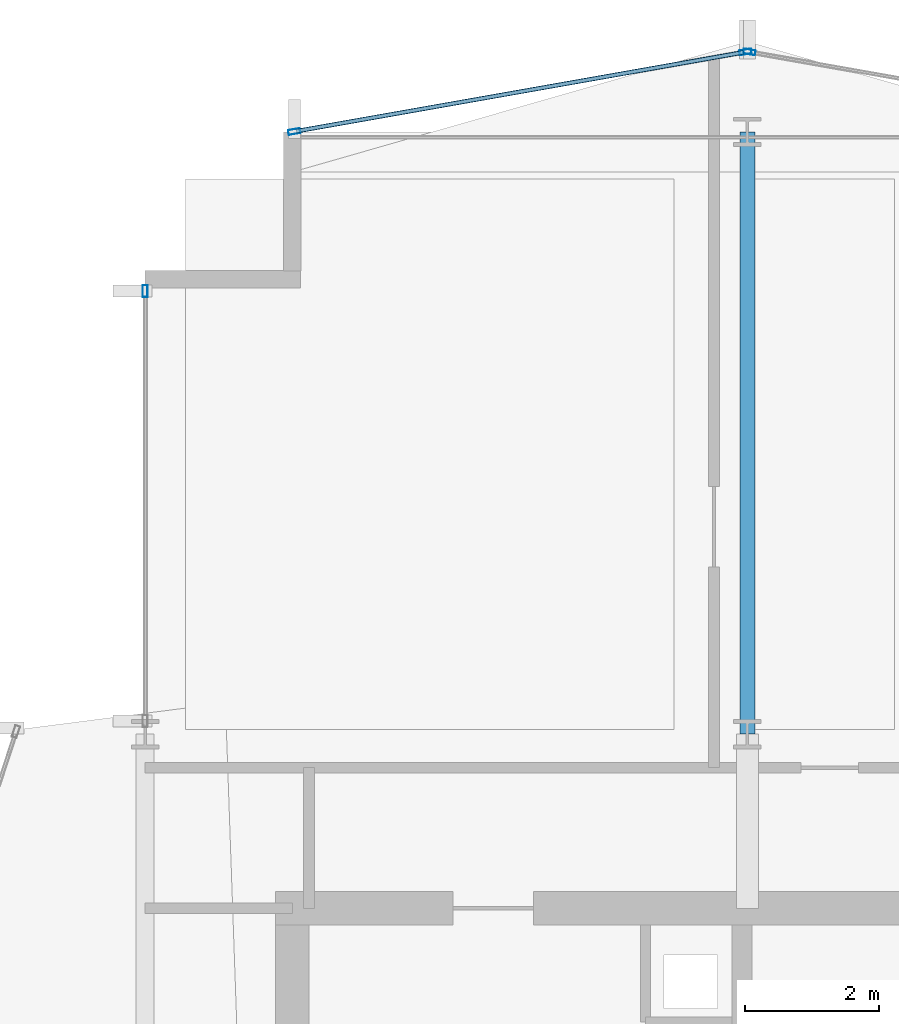
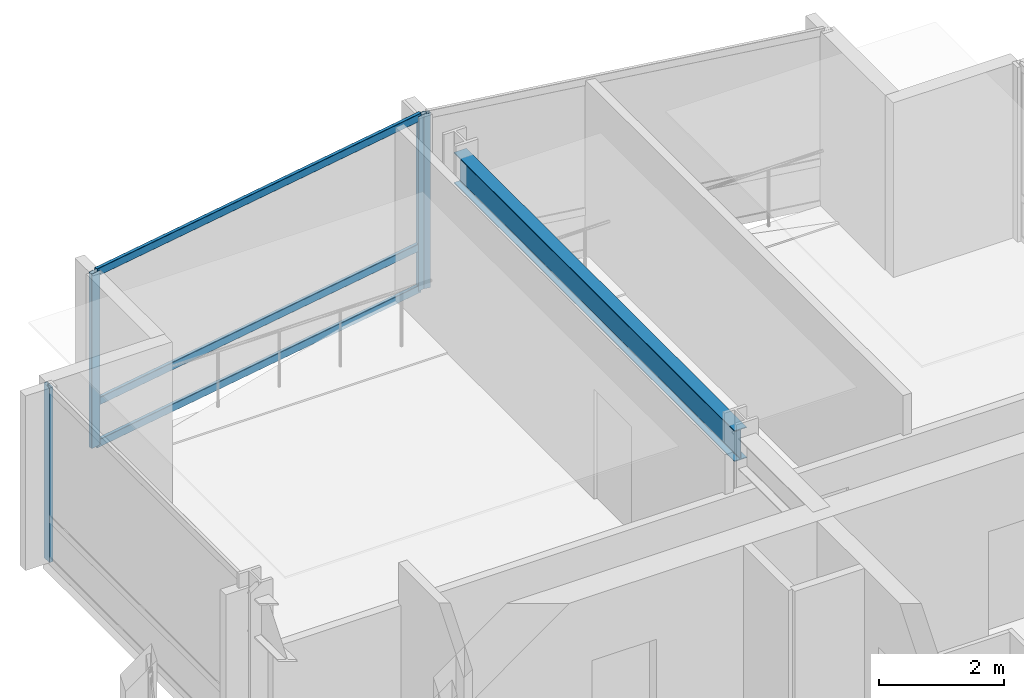
# One storey, part 19 of 29: 7 members, 1 beam, 3 elements without a shape of their own.
"""IFC4 building model written with IfcOpenShell, lengths in metres."""

import ifcopenshell
import ifcopenshell.guid

model = None  # the IFC model being written
_history = None  # IfcOwnerHistory: only IFC2X3 demands one
_inside = {}  # id of a spatial element -> (the spatial element, [elements in it])
_under = {}  # id of a project, library or spatial element -> (it, [spatial elements below it])
_declared = {}  # id of a project -> (the project, [libraries it declares])
_typed = {}  # id of a type object -> (the type object, [elements of that type])
_made_of = {}  # id of a material, layer set ... -> (it, [elements and type objects made of it])


def new_model(schema):
    """Start an empty IFC model of exactly this schema.

    Asked for "IFC4X3", IfcOpenShell would pick the latest addendum, in which some entities
    have other attributes; the version numbers below select the first issue.
    IFC2X3 requires an IfcOwnerHistory on every rooted entity: one is made here for all.
    """
    global model, _history
    if schema == "IFC4X3":
        model = ifcopenshell.file(schema_version=(4, 3, 0, 0))
    else:
        model = ifcopenshell.file(schema=schema)
    _inside.clear()
    _under.clear()
    _declared.clear()
    _typed.clear()
    _made_of.clear()
    _history = None
    if model.schema == "IFC2X3":
        org = make("IfcOrganization", Name="unknown")
        user = make(
            "IfcPersonAndOrganization",
            ThePerson=make("IfcPerson", FamilyName="unknown"),
            TheOrganization=org,
        )
        app = make(
            "IfcApplication",
            ApplicationDeveloper=org,
            Version="unknown",
            ApplicationFullName="unknown",
            ApplicationIdentifier="unknown",
        )
        _history = make(
            "IfcOwnerHistory",
            OwningUser=user,
            OwningApplication=app,
            ChangeAction="ADDED",
            CreationDate=0,
        )
    return model


def make(cls, **values):
    """One entity of the class cls with the attributes given. An attribute that is None is left unset."""
    return model.create_entity(
        cls, **{name: value for name, value in values.items() if value is not None}
    )


def rooted(cls, **values):
    """An entity with a GlobalId (a new one), such as an element, a storey or a relation."""
    return make(cls, GlobalId=ifcopenshell.guid.new(), OwnerHistory=_history, **values)


def si_unit(unit_type, name, prefix=None):
    """IfcSIUnit, for example si_unit("LENGTHUNIT", "METRE", prefix="MILLI")."""
    return make("IfcSIUnit", UnitType=unit_type, Prefix=prefix, Name=name)


def assignment(units):
    """IfcUnitAssignment: the units of a project."""
    return None if units is None else make("IfcUnitAssignment", Units=units)


def point(xyz):
    """IfcCartesianPoint."""
    return None if xyz is None else make("IfcCartesianPoint", Coordinates=xyz)


def direction(xyz):
    """IfcDirection."""
    return None if xyz is None else make("IfcDirection", DirectionRatios=xyz)


def frame(location, z_axis=None, x_axis=None):
    """IfcAxis2Placement3D, a coordinate frame: its origin and axes. An axis left out is left unset."""
    return make(
        "IfcAxis2Placement3D",
        Location=point(location),
        Axis=direction(z_axis),
        RefDirection=direction(x_axis),
    )


def frame_2d(location, x_axis=None):
    """IfcAxis2Placement2D, a coordinate frame in the plane: its origin and x axis."""
    return make(
        "IfcAxis2Placement2D", Location=point(location), RefDirection=direction(x_axis)
    )


def origin():
    """The frame at (0, 0, 0) with its axes left unset."""
    return frame((0.0, 0.0, 0.0))


def origin_2d():
    """The frame at (0, 0) in the plane with its x axis left unset."""
    return frame_2d((0.0, 0.0))


def place(relative_to, where):
    """IfcLocalPlacement: puts the frame where relative to a parent placement (None: the world)."""
    return make(
        "IfcLocalPlacement", PlacementRelTo=relative_to, RelativePlacement=where
    )


def context(
    kind, dimensions, precision=None, world=None, true_north=None, identifier=None
):
    """IfcGeometricRepresentationContext, for example the 3D "Model" context."""
    return make(
        "IfcGeometricRepresentationContext",
        ContextIdentifier=identifier,
        ContextType=kind,
        CoordinateSpaceDimension=dimensions,
        Precision=precision,
        WorldCoordinateSystem=world,
        TrueNorth=true_north,
    )


def subcontext(parent, identifier, kind, view, scale=None):
    """IfcGeometricRepresentationSubContext, for example "Body" below "Model"."""
    return make(
        "IfcGeometricRepresentationSubContext",
        ContextIdentifier=identifier,
        ContextType=kind,
        ParentContext=parent,
        TargetScale=scale,
        TargetView=view,
    )


def project(units=None, contexts=None):
    """IfcProject with its units and contexts."""
    return rooted(
        "IfcProject",
        Name="project",
        RepresentationContexts=contexts,
        UnitsInContext=assignment(units),
    )


def spatial(cls, under=None, at=None, **own):
    """A site, building, storey or space (cls), placed at a placement, below another one or the project."""
    s = rooted(cls, ObjectPlacement=at, **own)
    if under is not None:
        _under.setdefault(under.id(), (under, []))[1].append(s)
    return s


def profile(cls, at=None, kind="AREA", **sizes):
    """A parametric profile (cls). Its sizes go by their IFC names, for example OverallWidth=200.0."""
    return make(cls, ProfileType=kind, Position=at, **sizes)


def hollow_rectangle(**sizes):
    """IfcRectangleHollowProfileDef."""
    return profile("IfcRectangleHollowProfileDef", **sizes)


def i_section(**sizes):
    """IfcIShapeProfileDef."""
    return profile("IfcIShapeProfileDef", **sizes)


def extrude(swept, where, along, depth):
    """IfcExtrudedAreaSolid: the profile swept, set in the frame where, extruded along a direction by depth."""
    return make(
        "IfcExtrudedAreaSolid",
        SweptArea=swept,
        Position=where,
        ExtrudedDirection=direction(along),
        Depth=depth,
    )


def shape(context_of_items, identifier, shape_type, items):
    """IfcShapeRepresentation: the items that make up one representation, for example the "Body"."""
    return make(
        "IfcShapeRepresentation",
        ContextOfItems=context_of_items,
        RepresentationIdentifier=identifier,
        RepresentationType=shape_type,
        Items=items,
    )


def material(Name=None, Category=None):
    """IfcMaterial."""
    return make("IfcMaterial", Name=Name, Category=Category)


def layer(
    of_material, thickness, ventilated=None, Name=None, Category=None, Priority=None
):
    """IfcMaterialLayer: one layer of a wall or slab, of a material (None: an air gap)."""
    return make(
        "IfcMaterialLayer",
        Material=of_material,
        LayerThickness=thickness,
        IsVentilated=ventilated,
        Name=Name,
        Category=Category,
        Priority=Priority,
    )


def layer_set(layers, Name=None):
    """IfcMaterialLayerSet."""
    return make("IfcMaterialLayerSet", MaterialLayers=layers, LayerSetName=Name)


def material_profile(
    of_material, cross_section, Name=None, Category=None, Priority=None
):
    """IfcMaterialProfile: a cross section and its material."""
    return make(
        "IfcMaterialProfile",
        Name=Name,
        Material=of_material,
        Profile=cross_section,
        Priority=Priority,
        Category=Category,
    )


def profile_set(profiles, Name=None, composite=None):
    """IfcMaterialProfileSet."""
    return make(
        "IfcMaterialProfileSet",
        Name=Name,
        MaterialProfiles=profiles,
        CompositeProfile=composite,
    )


def made_of(thing, what):
    """Note that an element or type object is made of a material, layer set ...; save() writes the relation."""
    if what is not None:
        _made_of.setdefault(what.id(), (what, []))[1].append(thing)
    return thing


def type_object(cls, material=None, **own):
    """A type object (cls), such as IfcWallType, which elements share."""
    return made_of(rooted(cls, **own), material)


def element(
    cls,
    number,
    at=None,
    inside=None,
    cuts=None,
    type_object=None,
    material=None,
    context=None,
    identifier="Body",
    shape_type=None,
    held_by="IfcProductDefinitionShape",
    body=None,
    shapes=None,
    **own,
):
    """One element of the class cls, such as IfcWall. Its Tag is "e" and its number.

    at: its placement. inside: the storey or other place that contains it. cuts: it is an
    opening in that element (IfcRelVoidsElement). A single representation is given by context,
    identifier, shape_type and body (its items); several are given by shapes. held_by: the class
    of the entity that holds the representations. save() writes the other relations.
    """
    e = rooted(cls, Tag="e%d" % number, ObjectPlacement=at, **own)
    if body is not None:
        shapes = [shape(context, identifier, shape_type, body)]
    if shapes is not None:
        e.Representation = make(held_by, Representations=shapes)
    if inside is not None:
        _inside.setdefault(inside.id(), (inside, []))[1].append(e)
    if cuts is not None:
        rooted(
            "IfcRelVoidsElement", RelatingBuildingElement=cuts, RelatedOpeningElement=e
        )
    if type_object is not None:
        _typed.setdefault(type_object.id(), (type_object, []))[1].append(e)
    return made_of(e, material)


def aggregate(whole, parts):
    """IfcRelAggregates: a whole, such as a stair, and the parts it consists of."""
    return rooted("IfcRelAggregates", RelatingObject=whole, RelatedObjects=parts)


def save(model, path):
    """Write the relations noted so far, then the file.

    IfcRelAggregates (storeys below a building ...), IfcRelContainedInSpatialStructure (elements
    in a storey), IfcRelDefinesByType, IfcRelAssociatesMaterial and IfcRelDeclares: one each for
    every whole, place, type object, material and project.
    """
    for whole, parts in _under.values():
        aggregate(whole, parts)
    for where, things in _inside.values():
        rooted(
            "IfcRelContainedInSpatialStructure",
            RelatedElements=things,
            RelatingStructure=where,
        )
    for kind, things in _typed.values():
        rooted("IfcRelDefinesByType", RelatedObjects=things, RelatingType=kind)
    for what, things in _made_of.values():
        rooted("IfcRelAssociatesMaterial", RelatedObjects=things, RelatingMaterial=what)
    for by, libraries in _declared.values():
        rooted("IfcRelDeclares", RelatingContext=by, RelatedDefinitions=libraries)
    model.write(path)


model = new_model("IFC4")

# Units and contexts
model_context = context("Model", 3, precision=1e-05, world=origin(), true_north=direction((0.0, 1.0)))
body_context = subcontext(model_context, "Body", "Model", "MODEL_VIEW")
ifc_project = project(units=[si_unit("LENGTHUNIT", "METRE"), si_unit("AREAUNIT", "SQUARE_METRE"), si_unit("VOLUMEUNIT", "CUBIC_METRE"), si_unit("PLANEANGLEUNIT", "RADIAN"), si_unit("MASSUNIT", "GRAM", prefix="KILO")], contexts=[model_context])

# Site, building, storey
site_placement = place(None, origin())
site = spatial("IfcSite", under=ifc_project, at=site_placement, CompositionType="ELEMENT")
building_placement = place(site_placement, origin())
building = spatial("IfcBuilding", under=site, at=building_placement, Name="Solvaryn Broadcast Tower", CompositionType="ELEMENT")
storey_placement = place(building_placement, frame((0.0, 0.0, 143.300048828125)))
storey = spatial("IfcBuildingStorey", under=building, at=storey_placement, Name="L35", CompositionType="ELEMENT", Elevation=143.300048828125)

# Beam
ifc_material_1 = material(Name="Steel ASTM A992 Grade 50", Category="steel")
ifc_material_profile_1 = material_profile(ifc_material_1, i_section(OverallWidth=0.22802734375, OverallDepth=0.60791015625, WebThickness=0.01123046875, FlangeThickness=0.017333984375, FilletRadius=0.014892578125, at=origin_2d()))
ifc_profile_set_1 = profile_set([ifc_material_profile_1], Name="Steel ASTM A992 Grade 50")
beam_type = type_object("IfcBeamType", Name="BM-B2-W24X76", PredefinedType="BEAM", material=ifc_profile_set_1)
beam_placement = place(storey_placement, frame((18.0, 45.0, 3.115966796875), z_axis=(0.0, 1.0, 0.0), x_axis=(-1.0, 0.0, 0.0)))
element("IfcBeam", 1, at=beam_placement, inside=storey, type_object=beam_type, Name="L35 Primary Beam Y (45-54 @ X=18)", PredefinedType="BEAM", context=body_context, shape_type="SweptSolid", body=[
    extrude(i_section(OverallWidth=0.22802734375, OverallDepth=0.60791015625, WebThickness=0.01123046875, FlangeThickness=0.017333984375, FilletRadius=0.014892578125, at=origin_2d()), origin(), (0.0, 0.0, 1.0), 9.0),
])

# Curtain wall, member
ifc_material_2 = material(Name="Aluminium and Terracotta Unitised Curtain Wall", Category="masonry")
ifc_layer = layer(ifc_material_2, 0.199951171875)
ifc_layer_set = layer_set([ifc_layer], Name="CW-SYS2-LOWMID")
curtain_wall_type = type_object("IfcCurtainWallType", Name="CW-SYS2-LOWMID", PredefinedType="NOTDEFINED", material=ifc_layer_set)
curtain_wall_1_placement = place(storey_placement, origin())
curtain_wall_1 = element("IfcCurtainWall", 2, at=curtain_wall_1_placement, inside=storey, type_object=curtain_wall_type, Name="L35 Curtain Wall W2", PredefinedType="NOTDEFINED")
ifc_material_3 = material(Name="Anodised Aluminium 6063-T6", Category="aluminium")
ifc_material_profile_2 = material_profile(ifc_material_3, hollow_rectangle(XDim=0.074951171875, YDim=0.179931640625, WallThickness=0.00390625, InnerFilletRadius=0.00390625, OuterFilletRadius=0.008056640625, at=origin_2d()))
ifc_profile_set_2 = profile_set([ifc_material_profile_2], Name="Anodised Aluminium 6063-T6")
member_type_1 = type_object("IfcMemberType", Name="CW-MUL-180", PredefinedType="MULLION", material=ifc_profile_set_2)
member_1_placement = place(storey_placement, frame((9.0, 51.6201171875, 0.0), z_axis=(0.0, 0.0, 1.0), x_axis=(-1.0, 0.0, 0.0)))
member_1 = element("IfcMember", 3, at=member_1_placement, type_object=member_type_1, Name="CWS2 mullion 2", PredefinedType="MULLION", context=body_context, shape_type="SweptSolid", body=[
    extrude(hollow_rectangle(XDim=0.074951171875, YDim=0.179931640625, WallThickness=0.00390625, InnerFilletRadius=0.00390625, OuterFilletRadius=0.008056640625, at=origin_2d()), origin(), (0.0, 0.0, 1.0), 3.419921875),
])
aggregate(curtain_wall_1, [member_1])

curtain_wall_2_placement = place(storey_placement, origin())
curtain_wall_2 = element("IfcCurtainWall", 4, at=curtain_wall_2_placement, inside=storey, type_object=curtain_wall_type, Name="L35 Curtain Wall NT1", PredefinedType="NOTDEFINED")
member_2_placement = place(storey_placement, frame((18.029541015625, 55.19482421875, 0.0), z_axis=(0.0, 0.0, 1.0), x_axis=(-0.173785333901, -0.984783558819, 0.0)))
member_2 = element("IfcMember", 5, at=member_2_placement, type_object=member_type_1, Name="CWS2 mullion 2", PredefinedType="MULLION", context=body_context, shape_type="SweptSolid", body=[
    extrude(hollow_rectangle(XDim=0.074951171875, YDim=0.179931640625, WallThickness=0.00390625, InnerFilletRadius=0.00390625, OuterFilletRadius=0.008056640625, at=origin_2d()), origin(), (0.0, 0.0, 1.0), 3.419921875),
])
aggregate(curtain_wall_2, [member_2])

# Curtain wall, members
curtain_wall_3_placement = place(storey_placement, origin())
curtain_wall_3 = element("IfcCurtainWall", 6, at=curtain_wall_3_placement, inside=storey, type_object=curtain_wall_type, Name="L35 Curtain Wall NT2", PredefinedType="NOTDEFINED")
member_3_placement = place(storey_placement, frame((17.970458984375, 55.19482421875, 0.0), z_axis=(0.0, 0.0, 1.0), x_axis=(0.173785333901, -0.984783558819, 0.0)))
member_3 = element("IfcMember", 7, at=member_3_placement, type_object=member_type_1, Name="CWS2 mullion 1", PredefinedType="MULLION", context=body_context, shape_type="SweptSolid", body=[
    extrude(hollow_rectangle(XDim=0.074951171875, YDim=0.179931640625, WallThickness=0.00390625, InnerFilletRadius=0.00390625, OuterFilletRadius=0.008056640625, at=origin_2d()), origin(), (0.0, 0.0, 1.0), 3.419921875),
])
member_4_placement = place(storey_placement, frame((11.2294921875, 54.005126953125, 0.0), z_axis=(0.0, 0.0, 1.0), x_axis=(0.173785333901, -0.984783558819, 0.0)))
member_4 = element("IfcMember", 8, at=member_4_placement, type_object=member_type_1, Name="CWS2 mullion 2", PredefinedType="MULLION", context=body_context, shape_type="SweptSolid", body=[
    extrude(hollow_rectangle(XDim=0.074951171875, YDim=0.179931640625, WallThickness=0.00390625, InnerFilletRadius=0.00390625, OuterFilletRadius=0.008056640625, at=origin_2d()), origin(), (0.0, 0.0, 1.0), 3.419921875),
])
ifc_material_4 = material(Name="Anodised Aluminium 6063-T6", Category="aluminium")
ifc_material_profile_3 = material_profile(ifc_material_4, hollow_rectangle(XDim=0.06494140625, YDim=0.14990234375, WallThickness=0.00390625, InnerFilletRadius=0.00390625, OuterFilletRadius=0.008056640625, at=origin_2d()))
ifc_profile_set_3 = profile_set([ifc_material_profile_3], Name="Anodised Aluminium 6063-T6")
member_type_2 = type_object("IfcMemberType", Name="CW-TRN-150", PredefinedType="USERDEFINED", material=ifc_profile_set_3)
member_5_placement = place(storey_placement, frame((17.94091796875, 55.189453125, 0.030029296875), z_axis=(-0.984788629673, -0.173756596613, 0.0), x_axis=(0.173756596613, -0.984788629673, 0.0)))
member_5 = element("IfcMember", 9, at=member_5_placement, type_object=member_type_2, Name="CWS2 transom 1.1", ObjectType="TRANSOM", PredefinedType="USERDEFINED", context=body_context, shape_type="SweptSolid", body=[
    extrude(hollow_rectangle(XDim=0.06494140625, YDim=0.14990234375, WallThickness=0.00390625, InnerFilletRadius=0.00390625, OuterFilletRadius=0.008056640625, at=origin_2d()), origin(), (0.0, 0.0, 1.0), 6.78515625),
])
member_6_placement = place(storey_placement, frame((17.94091796875, 55.189453125, 0.849853515625), z_axis=(-0.984788629673, -0.173756596613, 0.0), x_axis=(0.173756596613, -0.984788629673, 0.0)))
member_6 = element("IfcMember", 10, at=member_6_placement, type_object=member_type_2, Name="CWS2 transom 1.2", ObjectType="TRANSOM", PredefinedType="USERDEFINED", context=body_context, shape_type="SweptSolid", body=[
    extrude(hollow_rectangle(XDim=0.06494140625, YDim=0.14990234375, WallThickness=0.00390625, InnerFilletRadius=0.00390625, OuterFilletRadius=0.008056640625, at=origin_2d()), origin(), (0.0, 0.0, 1.0), 6.78515625),
])
member_7_placement = place(storey_placement, frame((17.94091796875, 55.189453125, 3.389892578125), z_axis=(-0.984788629673, -0.173756596613, 0.0), x_axis=(0.173756596613, -0.984788629673, 0.0)))
member_7 = element("IfcMember", 11, at=member_7_placement, type_object=member_type_2, Name="CWS2 transom 1.3", ObjectType="TRANSOM", PredefinedType="USERDEFINED", context=body_context, shape_type="SweptSolid", body=[
    extrude(hollow_rectangle(XDim=0.06494140625, YDim=0.14990234375, WallThickness=0.00390625, InnerFilletRadius=0.00390625, OuterFilletRadius=0.008056640625, at=origin_2d()), origin(), (0.0, 0.0, 1.0), 6.78515625),
])
aggregate(curtain_wall_3, [member_3, member_4, member_5, member_6, member_7])

save(model, "model.ifc")
